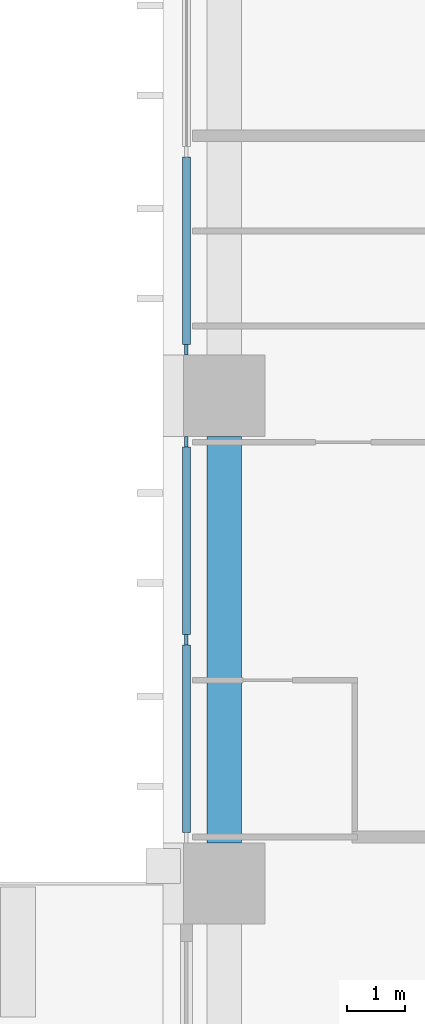
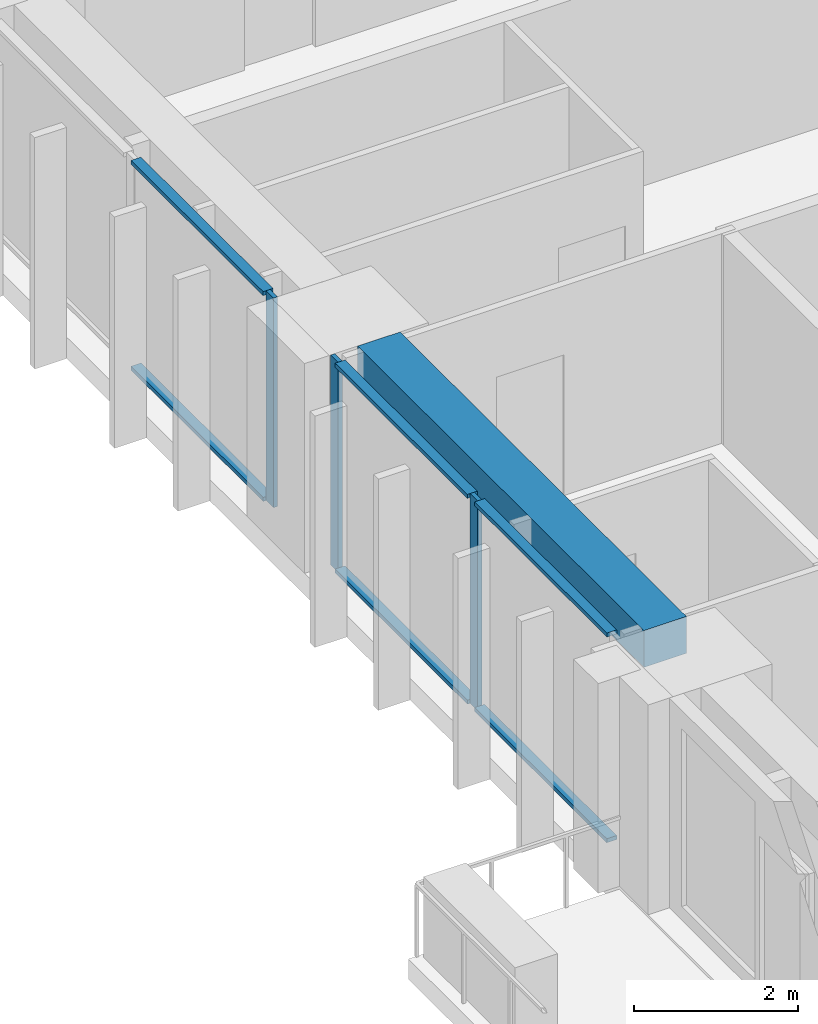
# One storey, part 3 of 18: 9 members, 1 beam, 2 elements without a shape of their own.
"""IFC4 building model written with IfcOpenShell, lengths in metres."""

from ifc_helpers import new_model, si_unit, direction, frame, origin, origin_2d, place, context, subcontext, project, spatial, rectangle, extrude, material, material_profile, profile_set, type_object, element, aggregate, save


model = new_model("IFC4")

# Units and contexts
model_context = context("Model", 3, precision=1e-05, world=origin(), true_north=direction((0.0, 1.0)))
body_context = subcontext(model_context, "Body", "Model", "MODEL_VIEW")
ifc_project = project(units=[si_unit("LENGTHUNIT", "METRE"), si_unit("AREAUNIT", "SQUARE_METRE"), si_unit("VOLUMEUNIT", "CUBIC_METRE"), si_unit("PLANEANGLEUNIT", "RADIAN"), si_unit("MASSUNIT", "GRAM", prefix="KILO")], contexts=[model_context])

# Site, building, storey
site_placement = place(None, origin())
site = spatial("IfcSite", under=ifc_project, at=site_placement, CompositionType="ELEMENT")
building_placement = place(site_placement, origin())
building = spatial("IfcBuilding", under=site, at=building_placement, Name="Vermilion Ogive Tower", CompositionType="ELEMENT")
storey_placement = place(building_placement, frame((0.0, 0.0, 34.5)))
storey = spatial("IfcBuildingStorey", under=building, at=storey_placement, Name="L06", CompositionType="ELEMENT", Elevation=34.5)

# Curtain wall, member
ifc_material_1 = material(Name="Low-iron laminated glazing in aluminium frame", Category="aluminium")
curtain_wall_type = type_object("IfcCurtainWallType", Name="Curtain wall CW7", PredefinedType="NOTDEFINED", material=ifc_material_1)
curtain_wall_1_placement = place(storey_placement, origin())
curtain_wall_1 = element("IfcCurtainWall", 1, at=curtain_wall_1_placement, inside=storey, type_object=curtain_wall_type, Name="Glazed skin W1", PredefinedType="NOTDEFINED")
ifc_material_2 = material(Name="Aluminium mullion", Category="aluminium")
ifc_material_profile_1 = material_profile(ifc_material_2, rectangle(XDim=0.06005859375, YDim=0.179931640625, at=origin_2d()), Name="AL 60x180")
ifc_profile_set_1 = profile_set([ifc_material_profile_1], Name="Aluminium mullion")
member_type_1 = type_object("IfcMemberType", Name="CW7 mullion 60x180", PredefinedType="MULLION", material=ifc_profile_set_1)
member_1_placement = place(storey_placement, frame((-25.85009765625, 4.989990234375, 0.0), z_axis=(0.0, 0.0, 1.0), x_axis=(1.0, 0.0, 0.0)))
member_1 = element("IfcMember", 2, at=member_1_placement, type_object=member_type_1, Name="CW7-W1 mullion 3", PredefinedType="MULLION", context=body_context, shape_type="SweptSolid", body=[
    extrude(rectangle(XDim=0.06005859375, YDim=0.179931640625, at=origin_2d()), origin(), (0.0, 0.0, 1.0), 3.1298828125),
])

# Curtain wall, members
curtain_wall_2_placement = place(storey_placement, origin())
curtain_wall_2 = element("IfcCurtainWall", 3, at=curtain_wall_2_placement, inside=storey, type_object=curtain_wall_type, Name="Glazed skin W2", PredefinedType="NOTDEFINED")
member_2_placement = place(storey_placement, frame((-25.85009765625, 3.409912109375, 0.0), z_axis=(0.0, 0.0, 1.0), x_axis=(1.0, 0.0, 0.0)))
member_2 = element("IfcMember", 4, at=member_2_placement, type_object=member_type_1, Name="CW7-W2 mullion 1", PredefinedType="MULLION", context=body_context, shape_type="SweptSolid", body=[
    extrude(rectangle(XDim=0.06005859375, YDim=0.179931640625, at=origin_2d()), origin(), (0.0, 0.0, 1.0), 3.1298828125),
])
member_3_placement = place(storey_placement, frame((-25.85009765625, 0.0, 0.0), z_axis=(0.0, 0.0, 1.0), x_axis=(1.0, 0.0, 0.0)))
member_3 = element("IfcMember", 5, at=member_3_placement, type_object=member_type_1, Name="CW7-W2 mullion 2", PredefinedType="MULLION", context=body_context, shape_type="SweptSolid", body=[
    extrude(rectangle(XDim=0.06005859375, YDim=0.179931640625, at=origin_2d()), origin(), (0.0, 0.0, 1.0), 3.1298828125),
])

# Member
ifc_material_3 = material(Name="Aluminium transom", Category="aluminium")
ifc_material_profile_2 = material_profile(ifc_material_3, rectangle(XDim=0.139892578125, YDim=0.06005859375, at=origin_2d()), Name="AL 60x140")
ifc_profile_set_2 = profile_set([ifc_material_profile_2], Name="Aluminium transom")
member_type_2 = type_object("IfcMemberType", Name="CW7 transom 60x140", PredefinedType="USERDEFINED", material=ifc_profile_set_2)
member_4_placement = place(storey_placement, frame((-25.85009765625, 8.31005859375, 0.030029296875), z_axis=(0.0, -1.0, 0.0), x_axis=(1.0, 0.0, 0.0)))
member_4 = element("IfcMember", 6, at=member_4_placement, type_object=member_type_2, Name="CW7-W1 transom 2.1", ObjectType="TRANSOM", PredefinedType="USERDEFINED", context=body_context, shape_type="SweptSolid", body=[
    extrude(rectangle(XDim=0.139892578125, YDim=0.06005859375, at=origin_2d()), origin(), (0.0, 0.0, 1.0), 3.22998046875),
])

member_5_placement = place(storey_placement, frame((-25.85009765625, 8.31005859375, 3.10009765625), z_axis=(0.0, -1.0, 0.0), x_axis=(1.0, 0.0, 0.0)))
member_5 = element("IfcMember", 7, at=member_5_placement, type_object=member_type_2, Name="CW7-W1 transom 2.2", ObjectType="TRANSOM", PredefinedType="USERDEFINED", context=body_context, shape_type="SweptSolid", body=[
    extrude(rectangle(XDim=0.139892578125, YDim=0.06005859375, at=origin_2d()), origin(), (0.0, 0.0, 1.0), 3.22998046875),
])

aggregate(curtain_wall_1, [member_1, member_4, member_5])

member_6_placement = place(storey_placement, frame((-25.85009765625, 3.320068359375, 0.030029296875), z_axis=(0.0, -1.0, 0.0), x_axis=(1.0, 0.0, 0.0)))
member_6 = element("IfcMember", 8, at=member_6_placement, type_object=member_type_2, Name="CW7-W2 transom 1.1", ObjectType="TRANSOM", PredefinedType="USERDEFINED", context=body_context, shape_type="SweptSolid", body=[
    extrude(rectangle(XDim=0.139892578125, YDim=0.06005859375, at=origin_2d()), origin(), (0.0, 0.0, 1.0), 3.22998046875),
])

member_7_placement = place(storey_placement, frame((-25.85009765625, 3.320068359375, 3.10009765625), z_axis=(0.0, -1.0, 0.0), x_axis=(1.0, 0.0, 0.0)))
member_7 = element("IfcMember", 9, at=member_7_placement, type_object=member_type_2, Name="CW7-W2 transom 1.2", ObjectType="TRANSOM", PredefinedType="USERDEFINED", context=body_context, shape_type="SweptSolid", body=[
    extrude(rectangle(XDim=0.139892578125, YDim=0.06005859375, at=origin_2d()), origin(), (0.0, 0.0, 1.0), 3.22998046875),
])

member_8_placement = place(storey_placement, frame((-25.85009765625, -0.090087890625, 0.030029296875), z_axis=(0.0, -1.0, 0.0), x_axis=(1.0, 0.0, 0.0)))
member_8 = element("IfcMember", 10, at=member_8_placement, type_object=member_type_2, Name="CW7-W2 transom 2.1", ObjectType="TRANSOM", PredefinedType="USERDEFINED", context=body_context, shape_type="SweptSolid", body=[
    extrude(rectangle(XDim=0.139892578125, YDim=0.06005859375, at=origin_2d()), origin(), (0.0, 0.0, 1.0), 3.22998046875),
])

member_9_placement = place(storey_placement, frame((-25.85009765625, -0.090087890625, 3.10009765625), z_axis=(0.0, -1.0, 0.0), x_axis=(1.0, 0.0, 0.0)))
member_9 = element("IfcMember", 11, at=member_9_placement, type_object=member_type_2, Name="CW7-W2 transom 2.2", ObjectType="TRANSOM", PredefinedType="USERDEFINED", context=body_context, shape_type="SweptSolid", body=[
    extrude(rectangle(XDim=0.139892578125, YDim=0.06005859375, at=origin_2d()), origin(), (0.0, 0.0, 1.0), 3.22998046875),
])

aggregate(curtain_wall_2, [member_2, member_3, member_6, member_7, member_8, member_9])

# Beam
ifc_material_4 = material(Name="Concrete B45", Category="concrete")
ifc_material_profile_3 = material_profile(ifc_material_4, rectangle(XDim=0.60009765625, YDim=0.550048828125, at=origin_2d()), Name="600 x 550")
ifc_profile_set_3 = profile_set([ifc_material_profile_3], Name="Concrete B45")
beam_type = type_object("IfcBeamType", Name="Edge beam 600 x 550 B45", PredefinedType="BEAM", material=ifc_profile_set_3)
beam_placement = place(storey_placement, frame((-25.199951171875, 3.5, 2.85498046875), z_axis=(0.0, -1.0, 0.0), x_axis=(1.0, 0.0, 0.0)))
element("IfcBeam", 12, at=beam_placement, inside=storey, type_object=beam_type, Name="L06-EB-15", PredefinedType="BEAM", context=body_context, shape_type="SweptSolid", body=[
    extrude(rectangle(XDim=0.60009765625, YDim=0.550048828125, at=origin_2d()), origin(), (0.0, 0.0, 1.0), 7.0),
])

save(model, "model.ifc")
